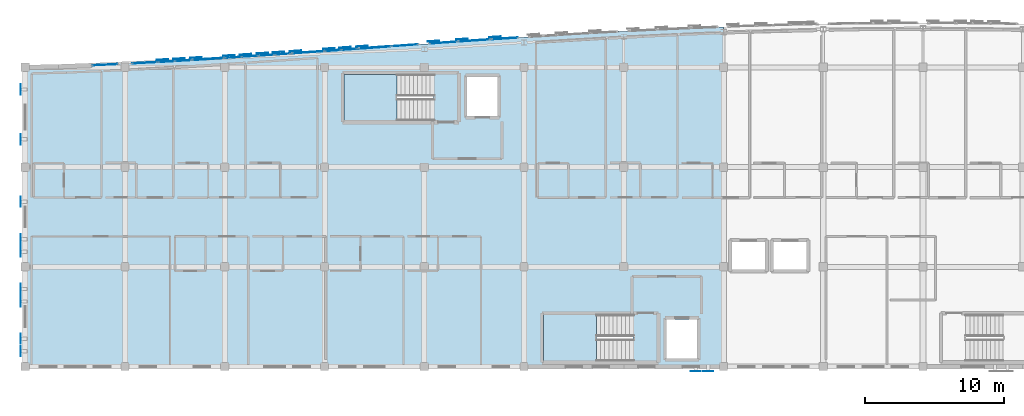
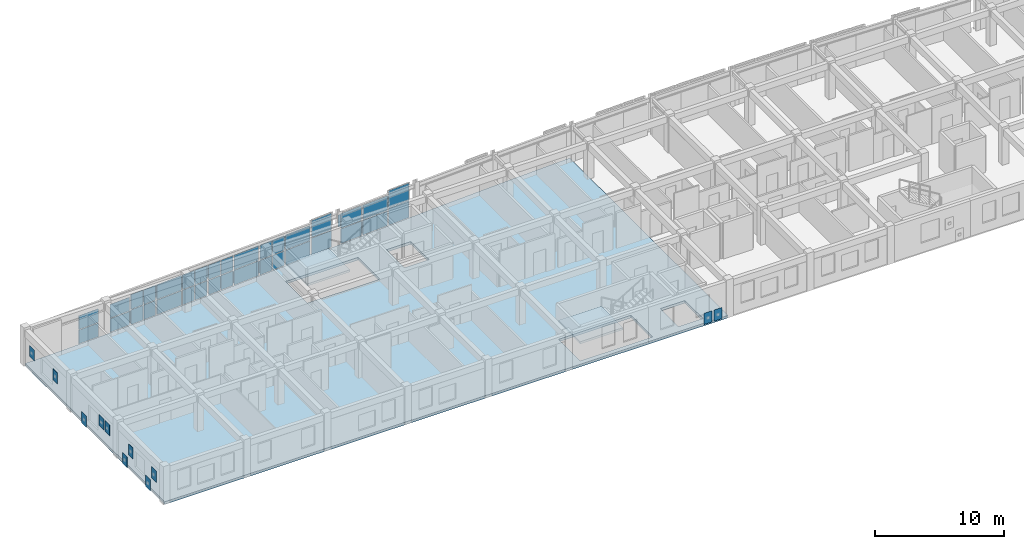
# One storey, part 26 of 41: 59 plates, 3 slabs, 15 elements without a shape of their own.
"""IFC4 building model written with IfcOpenShell, lengths in metres."""

from ifc_helpers import new_model, si_unit, direction, frame, origin, origin_2d, place, context, subcontext, project, spatial, polyline, rectangle, outline, extrude, material, layer, layer_set, type_object, element, aggregate, save


model = new_model("IFC4")

# Units and contexts
model_context = context("Model", 3, precision=1e-05, world=origin(), true_north=direction((0.0, 1.0)))
body_context = subcontext(model_context, "Body", "Model", "MODEL_VIEW")
ifc_project = project(units=[si_unit("LENGTHUNIT", "METRE"), si_unit("AREAUNIT", "SQUARE_METRE"), si_unit("VOLUMEUNIT", "CUBIC_METRE"), si_unit("PLANEANGLEUNIT", "RADIAN"), si_unit("MASSUNIT", "GRAM", prefix="KILO")], contexts=[model_context])

# Site, building, storey
site_placement = place(None, origin())
site = spatial("IfcSite", under=ifc_project, at=site_placement, CompositionType="ELEMENT")
building_placement = place(site_placement, origin())
building = spatial("IfcBuilding", under=site, at=building_placement, Name="Carrowvane Square Congress Hotel", CompositionType="ELEMENT")
storey_placement = place(building_placement, frame((0.0, 0.0, 37.199951171875)))
storey = spatial("IfcBuildingStorey", under=building, at=storey_placement, Name="L09", CompositionType="ELEMENT", Elevation=37.199951171875)

# Curtain wall, plates
ifc_material_1 = material(Name="Anodised aluminium", Category="aluminium")
ifc_layer_1 = layer(ifc_material_1, 0.23388671875)
ifc_layer_set_1 = layer_set([ifc_layer_1], Name="Anodised aluminium")
curtain_wall_type_1 = type_object("IfcCurtainWallType", Name="CW-SYS-7", PredefinedType="NOTDEFINED", material=ifc_layer_set_1)
curtain_wall_1_placement = place(storey_placement, origin())
curtain_wall_1 = element("IfcCurtainWall", 1, at=curtain_wall_1_placement, inside=storey, type_object=curtain_wall_type_1, Name="L09 unitised curtain wall 510", PredefinedType="NOTDEFINED")
ifc_material_2 = material(Name="Double-glazed low-E glass", Category="glass")
ifc_layer_2 = layer(ifc_material_2, 0.028076171875)
ifc_layer_set_2 = layer_set([ifc_layer_2], Name="Double-glazed low-E glass")
plate_type_1 = type_object("IfcPlateType", Name="CW-PAN-1", PredefinedType="CURTAIN_PANEL", material=ifc_layer_set_2)
plate_1_placement = place(storey_placement, frame((48.21484375, 114.116455078125, 0.06005859375), z_axis=(0.0, 0.0, 1.0), x_axis=(0.99778121937, 0.066578061501, 0.0)))
plate_1 = element("IfcPlate", 2, at=plate_1_placement, type_object=plate_type_1, Name="CW-7 panel 1.1", PredefinedType="CURTAIN_PANEL", context=body_context, shape_type="SweptSolid", body=[
    extrude(rectangle(XDim=1.112548828125, YDim=0.028076171875, at=origin_2d()), origin(), (0.0, 0.0, 1.0), 1.3876953125),
])
plate_2_placement = place(storey_placement, frame((48.21484375, 114.116455078125, 1.5078125), z_axis=(0.0, 0.0, 1.0), x_axis=(0.99778121937, 0.066578061501, 0.0)))
plate_2 = element("IfcPlate", 3, at=plate_2_placement, type_object=plate_type_1, Name="CW-7 panel 1.2", PredefinedType="CURTAIN_PANEL", context=body_context, shape_type="SweptSolid", body=[
    extrude(rectangle(XDim=1.112548828125, YDim=0.028076171875, at=origin_2d()), origin(), (0.0, 0.0, 1.0), 1.3876953125),
])
plate_3_placement = place(storey_placement, frame((49.385009765625, 114.1943359375, 0.06005859375), z_axis=(0.0, 0.0, 1.0), x_axis=(0.99778121937, 0.066578061501, 0.0)))
plate_3 = element("IfcPlate", 4, at=plate_3_placement, type_object=plate_type_1, Name="CW-7 panel 2.1", PredefinedType="CURTAIN_PANEL", context=body_context, shape_type="SweptSolid", body=[
    extrude(rectangle(XDim=1.112548828125, YDim=0.028076171875, at=origin_2d()), origin(), (0.0, 0.0, 1.0), 1.3876953125),
])
plate_4_placement = place(storey_placement, frame((49.385009765625, 114.1943359375, 1.5078125), z_axis=(0.0, 0.0, 1.0), x_axis=(0.99778121937, 0.066578061501, 0.0)))
plate_4 = element("IfcPlate", 5, at=plate_4_placement, type_object=plate_type_1, Name="CW-7 panel 2.2", PredefinedType="CURTAIN_PANEL", context=body_context, shape_type="SweptSolid", body=[
    extrude(rectangle(XDim=1.112548828125, YDim=0.028076171875, at=origin_2d()), origin(), (0.0, 0.0, 1.0), 1.3876953125),
])
aggregate(curtain_wall_1, [plate_1, plate_2, plate_3, plate_4])

ifc_material_3 = material(Name="Anodised aluminium", Category="aluminium")
ifc_layer_3 = layer(ifc_material_3, 0.197998046875)
ifc_layer_set_3 = layer_set([ifc_layer_3], Name="Anodised aluminium")
curtain_wall_type_2 = type_object("IfcCurtainWallType", Name="CW-SYS-4", PredefinedType="NOTDEFINED", material=ifc_layer_set_3)
curtain_wall_2_placement = place(storey_placement, origin())
curtain_wall_2 = element("IfcCurtainWall", 6, at=curtain_wall_2_placement, inside=storey, type_object=curtain_wall_type_2, Name="L09 unitised curtain wall 515", PredefinedType="NOTDEFINED")
plate_5_placement = place(storey_placement, frame((60.5947265625, 114.986083984375, 0.070068359375), z_axis=(0.0, 0.0, 1.0), x_axis=(0.997479146426, 0.070960217342, 0.0)))
plate_5 = element("IfcPlate", 7, at=plate_5_placement, type_object=plate_type_1, Name="CW-4 panel 1.1", PredefinedType="CURTAIN_PANEL", context=body_context, shape_type="SweptSolid", body=[
    extrude(rectangle(XDim=1.8544921875, YDim=0.028076171875, at=origin_2d()), origin(), (0.0, 0.0, 1.0), 1.5849609375),
])
plate_6_placement = place(storey_placement, frame((60.5947265625, 114.986083984375, 1.72509765625), z_axis=(0.0, 0.0, 1.0), x_axis=(0.997479146426, 0.070960217342, 0.0)))
plate_6 = element("IfcPlate", 8, at=plate_6_placement, type_object=plate_type_1, Name="CW-4 panel 1.2", PredefinedType="CURTAIN_PANEL", context=body_context, shape_type="SweptSolid", body=[
    extrude(rectangle(XDim=1.8544921875, YDim=0.028076171875, at=origin_2d()), origin(), (0.0, 0.0, 1.0), 1.5849609375),
])
aggregate(curtain_wall_2, [plate_5, plate_6])

ifc_material_4 = material(Name="Anodised aluminium", Category="aluminium")
ifc_layer_4 = layer(ifc_material_4, 0.18603515625)
ifc_layer_set_4 = layer_set([ifc_layer_4], Name="Anodised aluminium")
curtain_wall_type_3 = type_object("IfcCurtainWallType", Name="CW-SYS-3", PredefinedType="NOTDEFINED", material=ifc_layer_set_4)
curtain_wall_3_placement = place(storey_placement, origin())
curtain_wall_3 = element("IfcCurtainWall", 9, at=curtain_wall_3_placement, inside=storey, type_object=curtain_wall_type_3, Name="L09 unitised curtain wall 506", PredefinedType="NOTDEFINED")
ifc_material_5 = material(Name="Double-glazed low-E glass", Category="glass")
ifc_layer_5 = layer(ifc_material_5, 0.031982421875)
ifc_layer_set_5 = layer_set([ifc_layer_5], Name="Double-glazed low-E glass")
plate_type_2 = type_object("IfcPlateType", Name="CW-PAN-2", PredefinedType="CURTAIN_PANEL", material=ifc_layer_set_5)
plate_7_placement = place(storey_placement, frame((38.955810546875, 113.58544921875, 0.06005859375), z_axis=(0.0, 0.0, 1.0), x_axis=(0.998917263935, 0.046522035775, 0.0)))
plate_7 = element("IfcPlate", 10, at=plate_7_placement, type_object=plate_type_2, Name="CW-3 panel 1.1", PredefinedType="CURTAIN_PANEL", context=body_context, shape_type="SweptSolid", body=[
    extrude(rectangle(XDim=1.79345703125, YDim=0.031982421875, at=origin_2d()), origin(), (0.0, 0.0, 1.0), 1.29248046875),
])
plate_8_placement = place(storey_placement, frame((38.955810546875, 113.58544921875, 1.41259765625), z_axis=(0.0, 0.0, 1.0), x_axis=(0.998917263935, 0.046522035775, 0.0)))
plate_8 = element("IfcPlate", 11, at=plate_8_placement, type_object=plate_type_2, Name="CW-3 panel 1.2", PredefinedType="CURTAIN_PANEL", context=body_context, shape_type="SweptSolid", body=[
    extrude(rectangle(XDim=1.79345703125, YDim=0.031982421875, at=origin_2d()), origin(), (0.0, 0.0, 1.0), 1.29248046875),
])
aggregate(curtain_wall_3, [plate_7, plate_8])

ifc_material_6 = material(Name="Anodised aluminium", Category="aluminium")
ifc_layer_6 = layer(ifc_material_6, 0.24609375)
ifc_layer_set_6 = layer_set([ifc_layer_6], Name="Anodised aluminium")
curtain_wall_type_4 = type_object("IfcCurtainWallType", Name="CW-SYS-8", PredefinedType="NOTDEFINED", material=ifc_layer_set_6)
curtain_wall_4_placement = place(storey_placement, origin())
curtain_wall_4 = element("IfcCurtainWall", 12, at=curtain_wall_4_placement, inside=storey, type_object=curtain_wall_type_4, Name="L09 unitised curtain wall 511", PredefinedType="NOTDEFINED")
plate_9_placement = place(storey_placement, frame((50.617431640625, 114.278076171875, 0.06982421875), z_axis=(0.0, 0.0, 1.0), x_axis=(0.997617619706, 0.068986120725, 0.0)))
plate_9 = element("IfcPlate", 13, at=plate_9_placement, type_object=plate_type_2, Name="CW-8 panel 1.1", PredefinedType="CURTAIN_PANEL", context=body_context, shape_type="SweptSolid", body=[
    extrude(rectangle(XDim=1.097900390625, YDim=0.031982421875, at=origin_2d()), origin(), (0.0, 0.0, 1.0), 1.372802734375),
])
plate_10_placement = place(storey_placement, frame((50.617431640625, 114.278076171875, 1.5126953125), z_axis=(0.0, 0.0, 1.0), x_axis=(0.997617619706, 0.068986120725, 0.0)))
plate_10 = element("IfcPlate", 14, at=plate_10_placement, type_object=plate_type_2, Name="CW-8 panel 1.2", PredefinedType="CURTAIN_PANEL", context=body_context, shape_type="SweptSolid", body=[
    extrude(rectangle(XDim=1.097900390625, YDim=0.031982421875, at=origin_2d()), origin(), (0.0, 0.0, 1.0), 1.372802734375),
])
plate_11_placement = place(storey_placement, frame((51.782470703125, 114.358642578125, 0.06982421875), z_axis=(0.0, 0.0, 1.0), x_axis=(0.997617619706, 0.068986120725, 0.0)))
plate_11 = element("IfcPlate", 15, at=plate_11_placement, type_object=plate_type_2, Name="CW-8 panel 2.1", PredefinedType="CURTAIN_PANEL", context=body_context, shape_type="SweptSolid", body=[
    extrude(rectangle(XDim=1.097900390625, YDim=0.031982421875, at=origin_2d()), origin(), (0.0, 0.0, 1.0), 1.372802734375),
])
plate_12_placement = place(storey_placement, frame((51.782470703125, 114.358642578125, 1.5126953125), z_axis=(0.0, 0.0, 1.0), x_axis=(0.997617619706, 0.068986120725, 0.0)))
plate_12 = element("IfcPlate", 16, at=plate_12_placement, type_object=plate_type_2, Name="CW-8 panel 2.2", PredefinedType="CURTAIN_PANEL", context=body_context, shape_type="SweptSolid", body=[
    extrude(rectangle(XDim=1.097900390625, YDim=0.031982421875, at=origin_2d()), origin(), (0.0, 0.0, 1.0), 1.372802734375),
])
aggregate(curtain_wall_4, [plate_9, plate_10, plate_11, plate_12])

ifc_material_7 = material(Name="Anodised aluminium", Category="aluminium")
ifc_layer_7 = layer(ifc_material_7, 0.2099609375)
ifc_layer_set_7 = layer_set([ifc_layer_7], Name="Anodised aluminium")
curtain_wall_type_5 = type_object("IfcCurtainWallType", Name="CW-SYS-5", PredefinedType="NOTDEFINED", material=ifc_layer_set_7)
curtain_wall_5_placement = place(storey_placement, origin())
curtain_wall_5 = element("IfcCurtainWall", 17, at=curtain_wall_5_placement, inside=storey, type_object=curtain_wall_type_5, Name="L09 unitised curtain wall 516", PredefinedType="NOTDEFINED")
plate_13_placement = place(storey_placement, frame((63.378662109375, 115.182373046875, 0.06005859375), z_axis=(0.0, 0.0, 1.0), x_axis=(0.997566332949, 0.069723822092, 0.0)))
plate_13 = element("IfcPlate", 18, at=plate_13_placement, type_object=plate_type_2, Name="CW-5 panel 1.1", PredefinedType="CURTAIN_PANEL", context=body_context, shape_type="SweptSolid", body=[
    extrude(rectangle(XDim=1.927734375, YDim=0.031982421875, at=origin_2d()), origin(), (0.0, 0.0, 1.0), 1.3876953125),
])
plate_14_placement = place(storey_placement, frame((63.378662109375, 115.182373046875, 1.5078125), z_axis=(0.0, 0.0, 1.0), x_axis=(0.997566332949, 0.069723822092, 0.0)))
plate_14 = element("IfcPlate", 19, at=plate_14_placement, type_object=plate_type_2, Name="CW-5 panel 1.2", PredefinedType="CURTAIN_PANEL", context=body_context, shape_type="SweptSolid", body=[
    extrude(rectangle(XDim=1.927734375, YDim=0.031982421875, at=origin_2d()), origin(), (0.0, 0.0, 1.0), 1.3876953125),
])
aggregate(curtain_wall_5, [plate_13, plate_14])

curtain_wall_6_placement = place(storey_placement, origin())
curtain_wall_6 = element("IfcCurtainWall", 20, at=curtain_wall_6_placement, inside=storey, type_object=curtain_wall_type_2, Name="L09 unitised curtain wall 507", PredefinedType="NOTDEFINED")
ifc_material_8 = material(Name="Double-glazed low-E glass", Category="glass")
ifc_layer_8 = layer(ifc_material_8, 0.035888671875)
ifc_layer_set_8 = layer_set([ifc_layer_8], Name="Double-glazed low-E glass")
plate_type_3 = type_object("IfcPlateType", Name="CW-PAN-3", PredefinedType="CURTAIN_PANEL", material=ifc_layer_set_8)
plate_15_placement = place(storey_placement, frame((41.83154296875, 113.7294921875, 0.06982421875), z_axis=(0.0, 0.0, 1.0), x_axis=(0.998567109091, 0.053513817306, 0.0)))
plate_15 = element("IfcPlate", 21, at=plate_15_placement, type_object=plate_type_3, Name="CW-4 panel 1.1", PredefinedType="CURTAIN_PANEL", context=body_context, shape_type="SweptSolid", body=[
    extrude(rectangle(XDim=1.799560546875, YDim=0.035888671875, at=origin_2d()), origin(), (0.0, 0.0, 1.0), 1.277587890625),
])
plate_16_placement = place(storey_placement, frame((41.83154296875, 113.7294921875, 1.41748046875), z_axis=(0.0, 0.0, 1.0), x_axis=(0.998567109091, 0.053513817306, 0.0)))
plate_16 = element("IfcPlate", 22, at=plate_16_placement, type_object=plate_type_3, Name="CW-4 panel 1.2", PredefinedType="CURTAIN_PANEL", context=body_context, shape_type="SweptSolid", body=[
    extrude(rectangle(XDim=1.799560546875, YDim=0.035888671875, at=origin_2d()), origin(), (0.0, 0.0, 1.0), 1.277587890625),
])
aggregate(curtain_wall_6, [plate_15, plate_16])

ifc_material_9 = material(Name="Anodised aluminium", Category="aluminium")
ifc_layer_9 = layer(ifc_material_9, 0.162109375)
ifc_layer_set_9 = layer_set([ifc_layer_9], Name="Anodised aluminium")
curtain_wall_type_6 = type_object("IfcCurtainWallType", Name="CW-SYS-1", PredefinedType="NOTDEFINED", material=ifc_layer_set_9)
curtain_wall_7_placement = place(storey_placement, origin())
curtain_wall_7 = element("IfcCurtainWall", 23, at=curtain_wall_7_placement, inside=storey, type_object=curtain_wall_type_6, Name="L09 unitised curtain wall 512", PredefinedType="NOTDEFINED")
plate_17_placement = place(storey_placement, frame((53.60009765625, 114.486328125, 0.06005859375), z_axis=(0.0, 0.0, 1.0), x_axis=(0.997505697746, 0.070585996942, 0.0)))
plate_17 = element("IfcPlate", 24, at=plate_17_placement, type_object=plate_type_3, Name="CW-1 panel 1.1", PredefinedType="CURTAIN_PANEL", context=body_context, shape_type="SweptSolid", body=[
    extrude(rectangle(XDim=2.285888671875, YDim=0.035888671875, at=origin_2d()), origin(), (0.0, 0.0, 1.0), 1.3876953125),
])
plate_18_placement = place(storey_placement, frame((53.60009765625, 114.486328125, 1.5078125), z_axis=(0.0, 0.0, 1.0), x_axis=(0.997505697746, 0.070585996942, 0.0)))
plate_18 = element("IfcPlate", 25, at=plate_18_placement, type_object=plate_type_3, Name="CW-1 panel 1.2", PredefinedType="CURTAIN_PANEL", context=body_context, shape_type="SweptSolid", body=[
    extrude(rectangle(XDim=2.285888671875, YDim=0.035888671875, at=origin_2d()), origin(), (0.0, 0.0, 1.0), 1.3876953125),
])
aggregate(curtain_wall_7, [plate_17, plate_18])

ifc_material_10 = material(Name="Anodised aluminium", Category="aluminium")
ifc_layer_10 = layer(ifc_material_10, 0.221923828125)
ifc_layer_set_10 = layer_set([ifc_layer_10], Name="Anodised aluminium")
curtain_wall_type_7 = type_object("IfcCurtainWallType", Name="CW-SYS-6", PredefinedType="NOTDEFINED", material=ifc_layer_set_10)
curtain_wall_8_placement = place(storey_placement, origin())
curtain_wall_8 = element("IfcCurtainWall", 26, at=curtain_wall_8_placement, inside=storey, type_object=curtain_wall_type_7, Name="L09 unitised curtain wall 517", PredefinedType="NOTDEFINED")
plate_19_placement = place(storey_placement, frame((65.599853515625, 115.33544921875, 0.06982421875), z_axis=(0.0, 0.0, 1.0), x_axis=(0.997694484404, 0.067865424104, 0.0)))
plate_19 = element("IfcPlate", 27, at=plate_19_placement, type_object=plate_type_3, Name="CW-6 panel 1.1", PredefinedType="CURTAIN_PANEL", context=body_context, shape_type="SweptSolid", body=[
    extrude(rectangle(XDim=2.265380859375, YDim=0.035888671875, at=origin_2d()), origin(), (0.0, 0.0, 1.0), 1.372802734375),
])
plate_20_placement = place(storey_placement, frame((65.599853515625, 115.33544921875, 1.5126953125), z_axis=(0.0, 0.0, 1.0), x_axis=(0.997694484404, 0.067865424104, 0.0)))
plate_20 = element("IfcPlate", 28, at=plate_20_placement, type_object=plate_type_3, Name="CW-6 panel 1.2", PredefinedType="CURTAIN_PANEL", context=body_context, shape_type="SweptSolid", body=[
    extrude(rectangle(XDim=2.265380859375, YDim=0.035888671875, at=origin_2d()), origin(), (0.0, 0.0, 1.0), 1.372802734375),
])
aggregate(curtain_wall_8, [plate_19, plate_20])

curtain_wall_9_placement = place(storey_placement, origin())
curtain_wall_9 = element("IfcCurtainWall", 29, at=curtain_wall_9_placement, inside=storey, type_object=curtain_wall_type_5, Name="L09 unitised curtain wall 508", PredefinedType="NOTDEFINED")
ifc_material_11 = material(Name="Double-glazed low-E glass", Category="glass")
ifc_layer_11 = layer(ifc_material_11, 0.0419921875)
ifc_layer_set_11 = layer_set([ifc_layer_11], Name="Double-glazed low-E glass")
plate_type_4 = type_object("IfcPlateType", Name="CW-PAN-4", PredefinedType="CURTAIN_PANEL", material=ifc_layer_set_11)
plate_21_placement = place(storey_placement, frame((43.4150390625, 113.817626953125, 0.06005859375), z_axis=(0.0, 0.0, 1.0), x_axis=(0.99825866099, 0.058988522254, 0.0)))
plate_21 = element("IfcPlate", 30, at=plate_21_placement, type_object=plate_type_4, Name="CW-5 panel 1.1", PredefinedType="CURTAIN_PANEL", context=body_context, shape_type="SweptSolid", body=[
    extrude(rectangle(XDim=1.112060546875, YDim=0.0419921875, at=origin_2d()), origin(), (0.0, 0.0, 1.0), 1.3876953125),
])
plate_22_placement = place(storey_placement, frame((43.4150390625, 113.817626953125, 1.5078125), z_axis=(0.0, 0.0, 1.0), x_axis=(0.99825866099, 0.058988522254, 0.0)))
plate_22 = element("IfcPlate", 31, at=plate_22_placement, type_object=plate_type_4, Name="CW-5 panel 1.2", PredefinedType="CURTAIN_PANEL", context=body_context, shape_type="SweptSolid", body=[
    extrude(rectangle(XDim=1.112060546875, YDim=0.0419921875, at=origin_2d()), origin(), (0.0, 0.0, 1.0), 1.3876953125),
])
plate_23_placement = place(storey_placement, frame((44.5849609375, 113.88671875, 0.06005859375), z_axis=(0.0, 0.0, 1.0), x_axis=(0.99825866099, 0.058988522254, 0.0)))
plate_23 = element("IfcPlate", 32, at=plate_23_placement, type_object=plate_type_4, Name="CW-5 panel 2.1", PredefinedType="CURTAIN_PANEL", context=body_context, shape_type="SweptSolid", body=[
    extrude(rectangle(XDim=1.112060546875, YDim=0.0419921875, at=origin_2d()), origin(), (0.0, 0.0, 1.0), 1.3876953125),
])
plate_24_placement = place(storey_placement, frame((44.5849609375, 113.88671875, 1.5078125), z_axis=(0.0, 0.0, 1.0), x_axis=(0.99825866099, 0.058988522254, 0.0)))
plate_24 = element("IfcPlate", 33, at=plate_24_placement, type_object=plate_type_4, Name="CW-5 panel 2.2", PredefinedType="CURTAIN_PANEL", context=body_context, shape_type="SweptSolid", body=[
    extrude(rectangle(XDim=1.112060546875, YDim=0.0419921875, at=origin_2d()), origin(), (0.0, 0.0, 1.0), 1.3876953125),
])
aggregate(curtain_wall_9, [plate_21, plate_22, plate_23, plate_24])

ifc_material_12 = material(Name="Anodised aluminium", Category="aluminium")
ifc_layer_12 = layer(ifc_material_12, 0.174072265625)
ifc_layer_set_12 = layer_set([ifc_layer_12], Name="Anodised aluminium")
curtain_wall_type_8 = type_object("IfcCurtainWallType", Name="CW-SYS-2", PredefinedType="NOTDEFINED", material=ifc_layer_set_12)
curtain_wall_10_placement = place(storey_placement, origin())
curtain_wall_10 = element("IfcCurtainWall", 34, at=curtain_wall_10_placement, inside=storey, type_object=curtain_wall_type_8, Name="L09 unitised curtain wall 513", PredefinedType="NOTDEFINED")
plate_25_placement = place(storey_placement, frame((55.41748046875, 114.615478515625, 0.06982421875), z_axis=(0.0, 0.0, 1.0), x_axis=(0.997446448898, 0.071418356042, 0.0)))
plate_25 = element("IfcPlate", 35, at=plate_25_placement, type_object=plate_type_4, Name="CW-2 panel 1.1", PredefinedType="CURTAIN_PANEL", context=body_context, shape_type="SweptSolid", body=[
    extrude(rectangle(XDim=1.09814453125, YDim=0.0419921875, at=origin_2d()), origin(), (0.0, 0.0, 1.0), 1.372802734375),
])
plate_26_placement = place(storey_placement, frame((55.41748046875, 114.615478515625, 1.5126953125), z_axis=(0.0, 0.0, 1.0), x_axis=(0.997446448898, 0.071418356042, 0.0)))
plate_26 = element("IfcPlate", 36, at=plate_26_placement, type_object=plate_type_4, Name="CW-2 panel 1.2", PredefinedType="CURTAIN_PANEL", context=body_context, shape_type="SweptSolid", body=[
    extrude(rectangle(XDim=1.09814453125, YDim=0.0419921875, at=origin_2d()), origin(), (0.0, 0.0, 1.0), 1.372802734375),
])
plate_27_placement = place(storey_placement, frame((56.58251953125, 114.698974609375, 0.06982421875), z_axis=(0.0, 0.0, 1.0), x_axis=(0.997446448898, 0.071418356042, 0.0)))
plate_27 = element("IfcPlate", 37, at=plate_27_placement, type_object=plate_type_4, Name="CW-2 panel 2.1", PredefinedType="CURTAIN_PANEL", context=body_context, shape_type="SweptSolid", body=[
    extrude(rectangle(XDim=1.09814453125, YDim=0.0419921875, at=origin_2d()), origin(), (0.0, 0.0, 1.0), 1.372802734375),
])
plate_28_placement = place(storey_placement, frame((56.58251953125, 114.698974609375, 1.5126953125), z_axis=(0.0, 0.0, 1.0), x_axis=(0.997446448898, 0.071418356042, 0.0)))
plate_28 = element("IfcPlate", 38, at=plate_28_placement, type_object=plate_type_4, Name="CW-2 panel 2.2", PredefinedType="CURTAIN_PANEL", context=body_context, shape_type="SweptSolid", body=[
    extrude(rectangle(XDim=1.09814453125, YDim=0.0419921875, at=origin_2d()), origin(), (0.0, 0.0, 1.0), 1.372802734375),
])
aggregate(curtain_wall_10, [plate_25, plate_26, plate_27, plate_28])

curtain_wall_11_placement = place(storey_placement, origin())
curtain_wall_11 = element("IfcCurtainWall", 39, at=curtain_wall_11_placement, inside=storey, type_object=curtain_wall_type_1, Name="L09 unitised curtain wall 518", PredefinedType="NOTDEFINED")
plate_29_placement = place(storey_placement, frame((67.795654296875, 115.482177734375, 0.06005859375), z_axis=(0.0, 0.0, 1.0), x_axis=(0.997858327155, 0.065412223074, 0.0)))
plate_29 = element("IfcPlate", 40, at=plate_29_placement, type_object=plate_type_4, Name="CW-7 panel 1.1", PredefinedType="CURTAIN_PANEL", context=body_context, shape_type="SweptSolid", body=[
    extrude(rectangle(XDim=1.875732421875, YDim=0.0419921875, at=origin_2d()), origin(), (0.0, 0.0, 1.0), 1.60009765625),
])
plate_30_placement = place(storey_placement, frame((67.795654296875, 115.482177734375, 1.719970703125), z_axis=(0.0, 0.0, 1.0), x_axis=(0.997858327155, 0.065412223074, 0.0)))
plate_30 = element("IfcPlate", 41, at=plate_30_placement, type_object=plate_type_4, Name="CW-7 panel 1.2", PredefinedType="CURTAIN_PANEL", context=body_context, shape_type="SweptSolid", body=[
    extrude(rectangle(XDim=1.875732421875, YDim=0.0419921875, at=origin_2d()), origin(), (0.0, 0.0, 1.0), 1.60009765625),
])
aggregate(curtain_wall_11, [plate_29, plate_30])

curtain_wall_12_placement = place(storey_placement, origin())
curtain_wall_12 = element("IfcCurtainWall", 42, at=curtain_wall_12_placement, inside=storey, type_object=curtain_wall_type_7, Name="L09 unitised curtain wall 509", PredefinedType="NOTDEFINED")
ifc_material_13 = material(Name="Double-glazed low-E glass", Category="glass")
ifc_layer_13 = layer(ifc_material_13, 0.048095703125)
ifc_layer_set_13 = layer_set([ifc_layer_13], Name="Double-glazed low-E glass")
plate_type_5 = type_object("IfcPlateType", Name="CW-PAN-5", PredefinedType="CURTAIN_PANEL", material=ifc_layer_set_13)
plate_31_placement = place(storey_placement, frame((46.39990234375, 113.999267578125, 0.06982421875), z_axis=(0.0, 0.0, 1.0), x_axis=(0.997996225303, 0.063273487972, 0.0)))
plate_31 = element("IfcPlate", 43, at=plate_31_placement, type_object=plate_type_5, Name="CW-6 panel 1.1", PredefinedType="CURTAIN_PANEL", context=body_context, shape_type="SweptSolid", body=[
    extrude(rectangle(XDim=2.264892578125, YDim=0.048095703125, at=origin_2d()), origin(), (0.0, 0.0, 1.0), 1.372802734375),
])
plate_32_placement = place(storey_placement, frame((46.39990234375, 113.999267578125, 1.5126953125), z_axis=(0.0, 0.0, 1.0), x_axis=(0.997996225303, 0.063273487972, 0.0)))
plate_32 = element("IfcPlate", 44, at=plate_32_placement, type_object=plate_type_5, Name="CW-6 panel 1.2", PredefinedType="CURTAIN_PANEL", context=body_context, shape_type="SweptSolid", body=[
    extrude(rectangle(XDim=2.264892578125, YDim=0.048095703125, at=origin_2d()), origin(), (0.0, 0.0, 1.0), 1.372802734375),
])
aggregate(curtain_wall_12, [plate_31, plate_32])

curtain_wall_13_placement = place(storey_placement, origin())
curtain_wall_13 = element("IfcCurtainWall", 45, at=curtain_wall_13_placement, inside=storey, type_object=curtain_wall_type_3, Name="L09 unitised curtain wall 514", PredefinedType="NOTDEFINED")
plate_33_placement = place(storey_placement, frame((58.39990234375, 114.8291015625, 0.06005859375), z_axis=(0.0, 0.0, 1.0), x_axis=(0.997438322595, 0.071531759512, 0.0)))
plate_33 = element("IfcPlate", 46, at=plate_33_placement, type_object=plate_type_5, Name="CW-3 panel 1.1", PredefinedType="CURTAIN_PANEL", context=body_context, shape_type="SweptSolid", body=[
    extrude(rectangle(XDim=2.2861328125, YDim=0.048095703125, at=origin_2d()), origin(), (0.0, 0.0, 1.0), 1.3876953125),
])
plate_34_placement = place(storey_placement, frame((58.39990234375, 114.8291015625, 1.5078125), z_axis=(0.0, 0.0, 1.0), x_axis=(0.997438322595, 0.071531759512, 0.0)))
plate_34 = element("IfcPlate", 47, at=plate_34_placement, type_object=plate_type_5, Name="CW-3 panel 1.2", PredefinedType="CURTAIN_PANEL", context=body_context, shape_type="SweptSolid", body=[
    extrude(rectangle(XDim=2.2861328125, YDim=0.048095703125, at=origin_2d()), origin(), (0.0, 0.0, 1.0), 1.3876953125),
])
aggregate(curtain_wall_13, [plate_33, plate_34])

# Plates
ifc_material_14 = material(Name="Champagne-gold anodised aluminium", Category="aluminium")
ifc_layer_14 = layer(ifc_material_14, 0.011962890625)
ifc_layer_set_14 = layer_set([ifc_layer_14], Name="Champagne-gold anodised aluminium")
plate_type_6 = type_object("IfcPlateType", Name="PLT-PIX-GOLD12", PredefinedType="SHEET", material=ifc_layer_set_14)
for number, where, z_axis, x_axis, name in (
    (48, (45.513671875, 114.109375, 1.590087890625), (0.0, 0.0, 1.0), (0.997996022269, 0.063276690295, 0.0), "Champagne-gold pixel screen plate 869"),
    (49, (50.3125, 114.423583984375, 1.590087890625), (0.0, 0.0, 1.0), (0.99761759323, 0.068986503591, 0.0), "Champagne-gold pixel screen plate 872"),
    (50, (51.4775390625, 114.504150390625, 0.119873046875), (0.0, 0.0, 1.0), (0.99761759323, 0.068986503591, 0.0), "Champagne-gold pixel screen plate 873"),
    (51, (55.112060546875, 114.760009765625, 0.119873046875), (0.0, 0.0, 1.0), (0.997446326449, 0.071420066188, 0.0), "Champagne-gold pixel screen plate 875"),
    (52, (56.277099609375, 114.843505859375, 1.590087890625), (0.0, 0.0, 1.0), (0.997446326449, 0.071420066188, 0.0), "Champagne-gold pixel screen plate 876"),
    (53, (64.712890625, 115.44140625, 0.119873046875), (0.0, 0.0, 1.0), (0.9976944394, 0.067866085713, 0.0), "Champagne-gold pixel screen plate 879"),
):
    element("IfcPlate", number, at=place(storey_placement, frame(where, z_axis=z_axis, x_axis=x_axis)), inside=storey, type_object=plate_type_6, Name=name, PredefinedType="SHEET", context=body_context, shape_type="SweptSolid", body=[
        extrude(rectangle(XDim=0.827880859375, YDim=0.011962890625, at=origin_2d()), origin(), (0.0, 0.0, 1.0), 1.1201171875),
    ])
for number, where, z_axis, x_axis, name in (
    (54, (82.5, 91.468994140625, 0.15478515625), (0.0, 0.0, 1.0), (-1.0, 0.0, 0.0), "Champagne-gold pixel screen plate S-920"),
    (55, (81.60009765625, 91.468994140625, 0.15478515625), (0.0, 0.0, 1.0), (-1.0, 0.0, 0.0), "Champagne-gold pixel screen plate S-921"),
    (56, (32.868896484375, 100.10009765625, 1.52490234375), (0.0, 0.0, 1.0), (0.0, 1.0, 0.0), "Champagne-gold pixel screen plate S-926"),
    (57, (32.868896484375, 101.0, 1.52490234375), (0.0, 0.0, 1.0), (0.0, 1.0, 0.0), "Champagne-gold pixel screen plate S-927"),
    (58, (32.868896484375, 103.699951171875, 0.15478515625), (0.0, 0.0, 1.0), (0.0, 1.0, 0.0), "Champagne-gold pixel screen plate S-928"),
):
    element("IfcPlate", number, at=place(storey_placement, frame(where, z_axis=z_axis, x_axis=x_axis)), inside=storey, type_object=plate_type_6, Name=name, PredefinedType="SHEET", context=body_context, shape_type="SweptSolid", body=[
        extrude(rectangle(XDim=0.738037109375, YDim=0.011962890625, at=origin_2d()), origin(), (0.0, 0.0, 1.0), 1.050048828125),
    ])
ifc_material_15 = material(Name="Champagne-gold anodised aluminium", Category="aluminium")
ifc_layer_15 = layer(ifc_material_15, 0.008056640625)
ifc_layer_set_15 = layer_set([ifc_layer_15], Name="Champagne-gold anodised aluminium")
plate_type_7 = type_object("IfcPlateType", Name="PLT-PIX-GOLD8", PredefinedType="SHEET", material=ifc_layer_set_15)
for number, where, z_axis, x_axis, name in (
    (59, (43.109619140625, 113.9638671875, 0.119873046875), (0.0, 0.0, 1.0), (0.998258866948, 0.05898503675, 0.0), "Champagne-gold pixel screen plate 867"),
    (60, (44.279541015625, 114.032958984375, 1.590087890625), (0.0, 0.0, 1.0), (0.998258866948, 0.05898503675, 0.0), "Champagne-gold pixel screen plate 868"),
    (61, (47.908203125, 114.26025390625, 1.590087890625), (0.0, 0.0, 1.0), (0.997781458784, 0.066574473385, 0.0), "Champagne-gold pixel screen plate 870"),
    (62, (49.078125, 114.33837890625, 1.590087890625), (0.0, 0.0, 1.0), (0.997781458784, 0.066574473385, 0.0), "Champagne-gold pixel screen plate 871"),
    (63, (52.70751953125, 114.587646484375, 0.119873046875), (0.0, 0.0, 1.0), (0.997505756275, 0.070585169822, 0.0), "Champagne-gold pixel screen plate 874"),
    (64, (57.50732421875, 114.9296875, 1.590087890625), (0.0, 0.0, 1.0), (0.997438267187, 0.071532532122, 0.0), "Champagne-gold pixel screen plate 877"),
    (65, (62.664794921875, 115.296875, 1.590087890625), (0.0, 0.0, 1.0), (0.997566258056, 0.069724893606, 0.0), "Champagne-gold pixel screen plate 878"),
    (66, (67.1083984375, 115.6015625, 1.590087890625), (0.0, 0.0, 1.0), (0.99785825325, 0.065413350476, 0.0), "Champagne-gold pixel screen plate 880"),
):
    element("IfcPlate", number, at=place(storey_placement, frame(where, z_axis=z_axis, x_axis=x_axis)), inside=storey, type_object=plate_type_7, Name=name, PredefinedType="SHEET", context=body_context, shape_type="SweptSolid", body=[
        extrude(rectangle(XDim=0.827880859375, YDim=0.008056640625, at=origin_2d()), origin(), (0.0, 0.0, 1.0), 1.1201171875),
    ])
for number, where, z_axis, x_axis, name in (
    (67, (32.87109375, 92.89990234375, 1.52490234375), (0.0, 0.0, 1.0), (0.0, 1.0, 0.0), "Champagne-gold pixel screen plate S-922"),
    (68, (32.87109375, 93.800048828125, 0.15478515625), (0.0, 0.0, 1.0), (0.0, 1.0, 0.0), "Champagne-gold pixel screen plate S-923"),
    (69, (32.87109375, 96.5, 1.52490234375), (0.0, 0.0, 1.0), (0.0, 1.0, 0.0), "Champagne-gold pixel screen plate S-924"),
    (70, (32.87109375, 97.39990234375, 0.15478515625), (0.0, 0.0, 1.0), (0.0, 1.0, 0.0), "Champagne-gold pixel screen plate S-925"),
    (71, (32.87109375, 108.199951171875, 1.52490234375), (0.0, 0.0, 1.0), (0.0, 1.0, 0.0), "Champagne-gold pixel screen plate S-929"),
    (72, (32.87109375, 111.800048828125, 1.52490234375), (0.0, 0.0, 1.0), (0.0, 1.0, 0.0), "Champagne-gold pixel screen plate S-930"),
):
    element("IfcPlate", number, at=place(storey_placement, frame(where, z_axis=z_axis, x_axis=x_axis)), inside=storey, type_object=plate_type_7, Name=name, PredefinedType="SHEET", context=body_context, shape_type="SweptSolid", body=[
        extrude(rectangle(XDim=0.738037109375, YDim=0.008056640625, at=origin_2d()), origin(), (0.0, 0.0, 1.0), 1.050048828125),
    ])

# Slab
ifc_material_16 = material(Name="Concrete C35/45", Category="concrete")
ifc_layer_16 = layer(ifc_material_16, 0.239990234375)
ifc_layer_set_16 = layer_set([ifc_layer_16], Name="Concrete C35/45")
slab_type_1 = type_object("IfcSlabType", Name="SLB-FLR-240", PredefinedType="FLOOR", material=ifc_layer_set_16)
slab_1_placement = place(storey_placement, frame((0.0, 0.0, -0.239990234375)))
element("IfcSlab", 73, at=slab_1_placement, inside=storey, type_object=slab_type_1, Name="L09 Hotel Wing slab panel 1", PredefinedType="FLOOR", context=body_context, shape_type="SweptSolid", body=[
    extrude(outline(polyline([(33.199951171875, 91.800048828125), (83.60009765625, 91.800048828125), (83.60009765625, 116.323974609375), (81.199951171875, 116.2275390625), (78.800048828125, 116.118408203125), (76.39990234375, 115.99755859375), (74.0, 115.86572265625), (71.60009765625, 115.724365234375), (69.199951171875, 115.57421875), (66.800048828125, 115.4169921875), (64.39990234375, 115.253662109375), (62.0, 115.0859375), (59.60009765625, 114.915283203125), (57.199951171875, 114.7431640625), (54.800048828125, 114.5712890625), (52.39990234375, 114.4013671875), (50.0, 114.235595703125), (47.60009765625, 114.075439453125), (45.199951171875, 113.923095703125), (42.800048828125, 113.78125), (40.39990234375, 113.65283203125), (38.0, 113.541015625), (35.60009765625, 113.45166015625), (33.199951171875, 113.39990234375), (33.199951171875, 91.800048828125)]), holes=[polyline([(62.679931640625, 112.89990234375), (56.199951171875, 112.89990234375), (56.199951171875, 109.5400390625), (62.679931640625, 109.5400390625), (62.679931640625, 112.89990234375)]), polyline([(77.080078125, 95.56005859375), (70.60009765625, 95.56005859375), (70.60009765625, 92.199951171875), (77.080078125, 92.199951171875), (77.080078125, 95.56005859375)]), polyline([(65.10009765625, 109.89990234375), (67.300048828125, 109.89990234375), (67.300048828125, 112.699951171875), (65.10009765625, 112.699951171875), (65.10009765625, 109.89990234375)]), polyline([(79.5, 92.39990234375), (81.699951171875, 92.39990234375), (81.699951171875, 95.199951171875), (79.5, 95.199951171875), (79.5, 92.39990234375)])]), origin(), (0.0, 0.0, 1.0), 0.239990234375),
])

# Stair, slab
ifc_material_17 = material(Name="Concrete C35/45", Category="concrete")
stair_type = type_object("IfcStairType", Name="STR-DOG-02", PredefinedType="HALF_TURN_STAIR", material=ifc_material_17)
stair_1_placement = place(storey_placement, origin())
stair_1 = element("IfcStair", 74, at=stair_1_placement, inside=storey, type_object=stair_type, Name="L09 Core C1 West Hotel Firefighting Stair", PredefinedType="HALF_TURN_STAIR")
ifc_material_18 = material(Name="Concrete C35/45", Category="concrete")
ifc_layer_17 = layer(ifc_material_18, 0.199951171875)
ifc_layer_set_17 = layer_set([ifc_layer_17], Name="Concrete C35/45")
slab_type_2 = type_object("IfcSlabType", Name="SLB-LND-200", PredefinedType="LANDING", material=ifc_layer_set_17)
slab_2_placement = place(storey_placement, frame((0.0, 0.0, 1.60009765625)))
slab_2 = element("IfcSlab", 75, at=slab_2_placement, type_object=slab_type_2, Name="ST1 landing 1", PredefinedType="LANDING", context=body_context, shape_type="SweptSolid", body=[
    extrude(outline(polyline([(60.02001953125, 112.89990234375), (56.199951171875, 112.89990234375), (56.199951171875, 109.5400390625), (60.02001953125, 109.5400390625), (60.02001953125, 112.89990234375)])), origin(), (0.0, 0.0, 1.0), 0.199951171875),
])
aggregate(stair_1, [slab_2])

stair_2_placement = place(storey_placement, origin())
stair_2 = element("IfcStair", 76, at=stair_2_placement, inside=storey, type_object=stair_type, Name="L09 Core C2 Central Hotel Firefighting Stair", PredefinedType="HALF_TURN_STAIR")
slab_3_placement = place(storey_placement, frame((0.0, 0.0, 1.60009765625)))
slab_3 = element("IfcSlab", 77, at=slab_3_placement, type_object=slab_type_2, Name="ST2 landing 1", PredefinedType="LANDING", context=body_context, shape_type="SweptSolid", body=[
    extrude(outline(polyline([(74.419921875, 95.56005859375), (70.60009765625, 95.56005859375), (70.60009765625, 92.199951171875), (74.419921875, 92.199951171875), (74.419921875, 95.56005859375)])), origin(), (0.0, 0.0, 1.0), 0.199951171875),
])
aggregate(stair_2, [slab_3])

save(model, "model.ifc")
